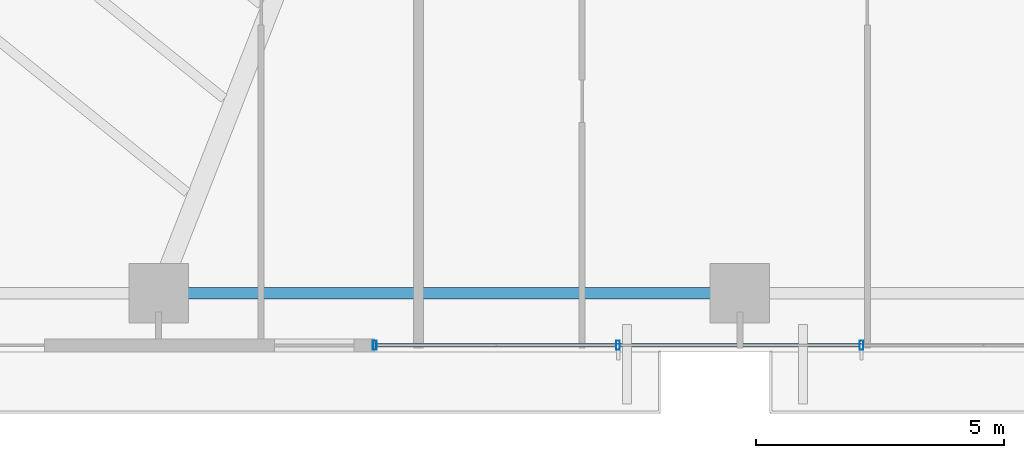
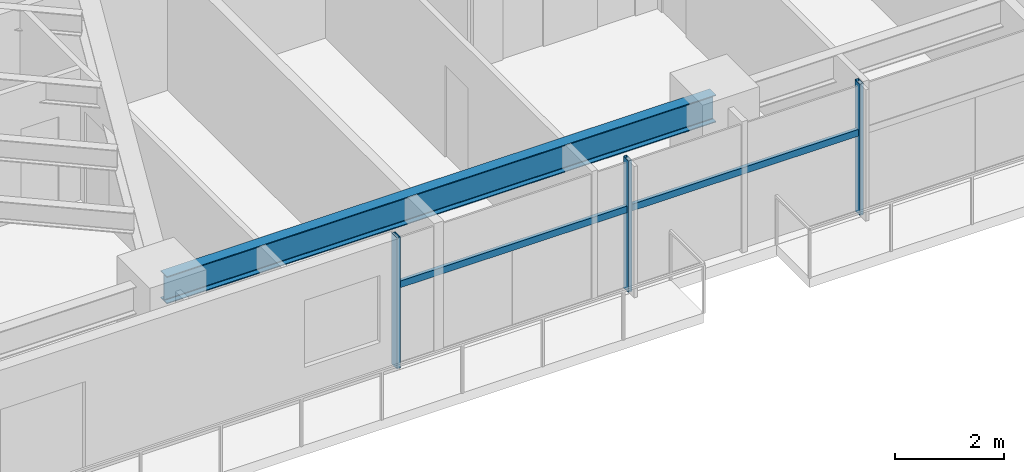
# One storey, part 6 of 25: 5 members, 1 beam, 1 element without a shape of its own.
"""IFC4 building model written with IfcOpenShell, lengths in metres."""

from ifc_helpers import new_model, si_unit, direction, frame, origin, origin_2d, place, context, subcontext, project, spatial, hollow_rectangle, i_section, extrude, source, transform, mapped, material, material_profile, profile_set, type_object, type_shapes, element, aggregate, save


model = new_model("IFC4")

# Units and contexts
model_context = context("Model", 3, precision=1e-05, world=origin(), true_north=direction((0.0, 1.0)))
body_context = subcontext(model_context, "Body", "Model", "MODEL_VIEW")
ifc_project = project(units=[si_unit("LENGTHUNIT", "METRE"), si_unit("AREAUNIT", "SQUARE_METRE"), si_unit("VOLUMEUNIT", "CUBIC_METRE"), si_unit("PLANEANGLEUNIT", "RADIAN"), si_unit("MASSUNIT", "GRAM", prefix="KILO")], contexts=[model_context])

# Site, building, storey
site_placement = place(None, origin())
site = spatial("IfcSite", under=ifc_project, at=site_placement, CompositionType="ELEMENT")
building_placement = place(site_placement, origin())
building = spatial("IfcBuilding", under=site, at=building_placement, Name="Astriad Promenade Condominiums", CompositionType="ELEMENT")
storey_placement = place(building_placement, frame((0.0, 0.0, 42.199951171875)))
storey = spatial("IfcBuildingStorey", under=building, at=storey_placement, Name="L11", CompositionType="ELEMENT", Elevation=42.199951171875)

# Beam
ifc_material_1 = material(Name="Steel ASTM A992 Grade 50", Category="steel")
ifc_material_profile_1 = material_profile(ifc_material_1, i_section(OverallWidth=0.22900390625, OverallDepth=0.612060546875, WebThickness=0.011962890625, FlangeThickness=0.01953125, FilletRadius=0.017822265625, at=origin_2d()), Name="W24X84")
ifc_profile_set_1 = profile_set([ifc_material_profile_1], Name="Steel ASTM A992 Grade 50")
beam_type = type_object("IfcBeamType", Name="STEEL SPANDREL BEAM W24X84", PredefinedType="SPANDREL", material=ifc_profile_set_1)
shared_shape_1 = source(origin(), body_context, "Body", "SweptSolid", [
    extrude(i_section(OverallWidth=0.22900390625, OverallDepth=0.612060546875, WebThickness=0.011962890625, FlangeThickness=0.01953125, FilletRadius=0.017822265625, at=origin_2d()), origin(), (0.0, 0.0, 1.0), 11.6201171875),
])
type_shapes(beam_type, [shared_shape_1])
beam_placement = place(storey_placement, frame((21.139892578125, 3.8798828125, 2.634033203125), z_axis=(1.0, 0.0, 0.0), x_axis=(0.0, 1.0, 0.0)))
element("IfcBeam", 1, at=beam_placement, inside=storey, type_object=beam_type, Name="Perimeter Spandrel Beam SP-S2-L11", PredefinedType="SPANDREL", context=body_context, shape_type="MappedRepresentation", body=[
    mapped(shared_shape_1, transform((0.0, 0.0, 0.0), scale=1.0)),
])

# Curtain wall, members
ifc_material_2 = material(Name="Anodised aluminium Black Dark Glass Unitised", Category="aluminium")
curtain_wall_type = type_object("IfcCurtainWallType", Name="CW-B1-DARK", PredefinedType="USERDEFINED", material=ifc_material_2)
curtain_wall_placement = place(storey_placement, origin())
curtain_wall = element("IfcCurtainWall", 2, at=curtain_wall_placement, inside=storey, type_object=curtain_wall_type, Name="CW-L11-S", ObjectType="UNITISED_CURTAIN_WALL", PredefinedType="USERDEFINED")
ifc_material_3 = material(Name="Anodised aluminium 6063-T6 Black", Category="aluminium")
ifc_material_profile_2 = material_profile(ifc_material_3, hollow_rectangle(XDim=0.074951171875, YDim=0.18505859375, WallThickness=0.00439453125, at=origin_2d()), Name="ALU-MUL-75X185")
ifc_profile_set_2 = profile_set([ifc_material_profile_2], Name="Anodised aluminium 6063-T6 Black")
member_type_1 = type_object("IfcMemberType", Name="MUL-ALU-MUL-75X185", PredefinedType="MULLION", material=ifc_profile_set_2)
shared_shape_2 = source(origin(), body_context, "Body", "SweptSolid", [
    extrude(hollow_rectangle(XDim=0.074951171875, YDim=0.18505859375, WallThickness=0.00439453125, at=origin_2d()), origin(), (0.0, 0.0, 1.0), 2.93994140625),
])
type_shapes(member_type_1, [shared_shape_2])
member_1_placement = place(storey_placement, frame((35.25, 2.830078125, 0.0), z_axis=(0.0, 0.0, 1.0), x_axis=(1.0, 0.0, 0.0)))
member_1 = element("IfcMember", 3, at=member_1_placement, type_object=member_type_1, Name="CW-L11-S-MUL-01", PredefinedType="MULLION", context=body_context, shape_type="MappedRepresentation", body=[
    mapped(shared_shape_2, transform((0.0, 0.0, 0.0), scale=1.0)),
])
member_2_placement = place(storey_placement, frame((30.35009765625, 2.830078125, 0.0), z_axis=(0.0, 0.0, 1.0), x_axis=(1.0, 0.0, 0.0)))
member_2 = element("IfcMember", 4, at=member_2_placement, type_object=member_type_1, Name="CW-L11-S-MUL-02", PredefinedType="MULLION", context=body_context, shape_type="MappedRepresentation", body=[
    mapped(shared_shape_2, transform((0.0, 0.0, 0.0), scale=1.0)),
])
member_3_placement = place(storey_placement, frame((25.449951171875, 2.830078125, 0.0), z_axis=(0.0, 0.0, 1.0), x_axis=(1.0, 0.0, 0.0)))
member_3 = element("IfcMember", 5, at=member_3_placement, type_object=member_type_1, Name="CW-L11-S-MUL-03", PredefinedType="MULLION", context=body_context, shape_type="MappedRepresentation", body=[
    mapped(shared_shape_2, transform((0.0, 0.0, 0.0), scale=1.0)),
])
ifc_material_profile_3 = material_profile(ifc_material_3, hollow_rectangle(XDim=0.074951171875, YDim=0.14990234375, WallThickness=0.004150390625, at=origin_2d()), Name="ALU-TRN-75X150")
ifc_profile_set_3 = profile_set([ifc_material_profile_3], Name="Anodised aluminium 6063-T6 Black")
member_type_2 = type_object("IfcMemberType", Name="TRN-ALU-TRN-75X150", PredefinedType="USERDEFINED", material=ifc_profile_set_3)
shared_shape_3 = source(origin(), body_context, "Body", "SweptSolid", [
    extrude(hollow_rectangle(XDim=0.074951171875, YDim=0.14990234375, WallThickness=0.004150390625, at=origin_2d()), origin(), (0.0, 0.0, 1.0), 4.900146484375),
])
member_4_placement = place(storey_placement, frame((30.35009765625, 2.830078125, 1.82275390625), z_axis=(-1.0, 0.0, 0.0), x_axis=(0.0, -1.0, 0.0)))
member_4 = element("IfcMember", 6, at=member_4_placement, type_object=member_type_2, Name="CW-L11-S-TRN-02-0", ObjectType="TRANSOM", PredefinedType="USERDEFINED", context=body_context, shape_type="MappedRepresentation", body=[
    mapped(shared_shape_3, transform((0.0, 0.0, 0.0), scale=1.0)),
])
shared_shape_4 = source(origin(), body_context, "Body", "SweptSolid", [
    extrude(hollow_rectangle(XDim=0.074951171875, YDim=0.14990234375, WallThickness=0.004150390625, at=origin_2d()), origin(), (0.0, 0.0, 1.0), 4.89990234375),
])
type_shapes(member_type_2, [shared_shape_3, shared_shape_4])
member_5_placement = place(storey_placement, frame((35.25, 2.830078125, 1.82275390625), z_axis=(-1.0, 0.0, 0.0), x_axis=(0.0, -1.0, 0.0)))
member_5 = element("IfcMember", 7, at=member_5_placement, type_object=member_type_2, Name="CW-L11-S-TRN-01-0", ObjectType="TRANSOM", PredefinedType="USERDEFINED", context=body_context, shape_type="MappedRepresentation", body=[
    mapped(shared_shape_4, transform((0.0, 0.0, 0.0), scale=1.0)),
])
aggregate(curtain_wall, [member_1, member_2, member_3, member_5, member_4])

save(model, "model.ifc")
